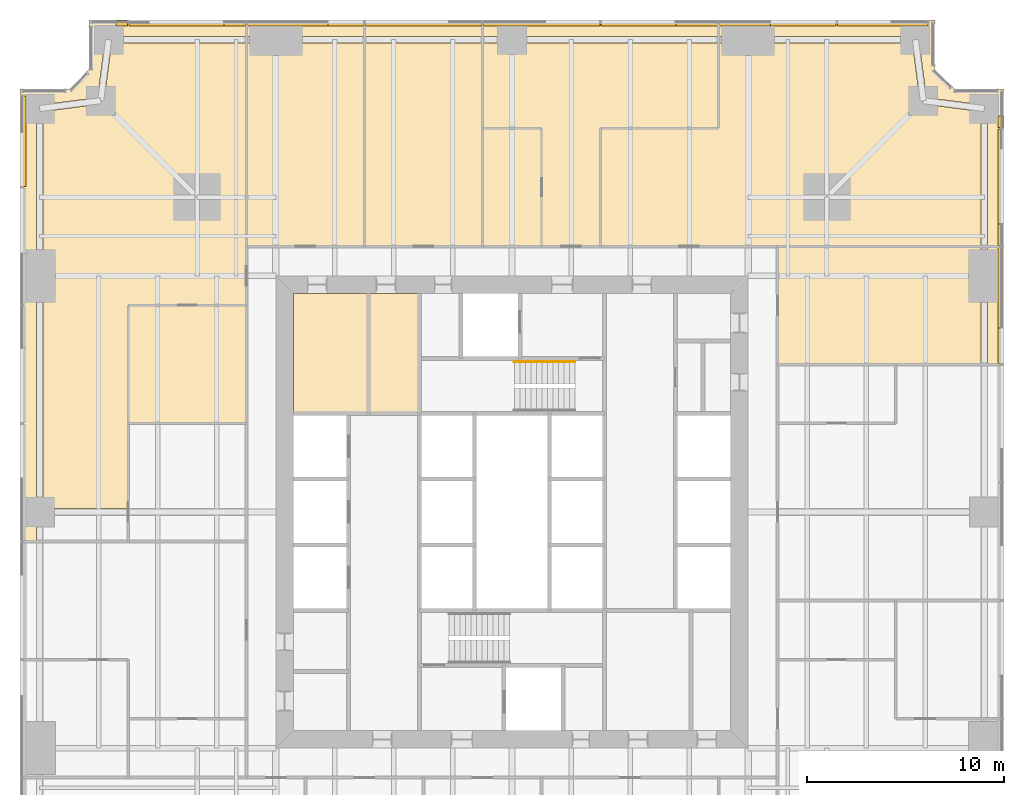
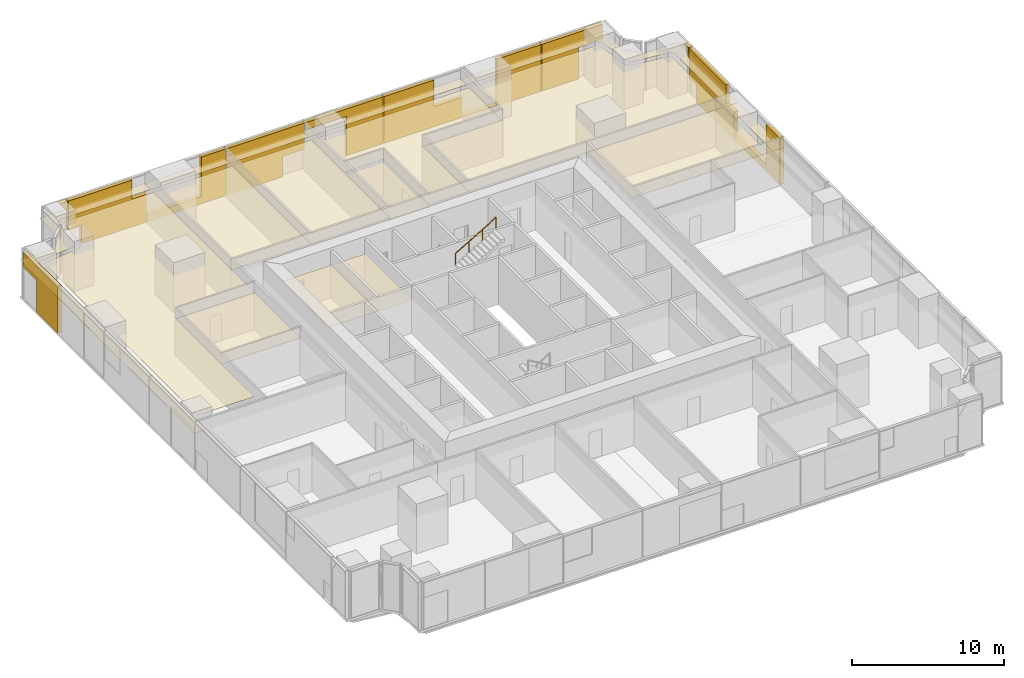
# One storey, part 14 of 14: 28 coverings, 1 railing.
"""IFC4 building model written with IfcOpenShell, lengths in metres."""

from ifc_helpers import new_model, si_unit, direction, frame, origin, origin_2d, place, context, subcontext, project, spatial, polyline, circle, outline, extrude, material, layer, layer_set, type_object, element, save


model = new_model("IFC4")

# Units and contexts
model_context = context("Model", 3, precision=1e-05, world=origin(), true_north=direction((0.0, 1.0)))
body_context = subcontext(model_context, "Body", "Model", "MODEL_VIEW")
ifc_project = project(units=[si_unit("LENGTHUNIT", "METRE"), si_unit("AREAUNIT", "SQUARE_METRE"), si_unit("VOLUMEUNIT", "CUBIC_METRE"), si_unit("PLANEANGLEUNIT", "RADIAN"), si_unit("MASSUNIT", "GRAM", prefix="KILO")], contexts=[model_context])

# Site, building, storey
site_placement = place(None, origin())
site = spatial("IfcSite", under=ifc_project, at=site_placement, CompositionType="ELEMENT")
building_placement = place(site_placement, origin())
building = spatial("IfcBuilding", under=site, at=building_placement, Name="Fenwick Lantern Interchange", CompositionType="ELEMENT")
storey_placement = place(building_placement, frame((0.0, 0.0, 59.0)))
storey = spatial("IfcBuildingStorey", under=building, at=storey_placement, Name="L13", CompositionType="ELEMENT", Elevation=59.0)

# Coverings
ifc_material_1 = material(Name="Mineral fibre acoustic tile on suspended grid")
ifc_layer_1 = layer(ifc_material_1, 0.02001953125)
ifc_layer_set_1 = layer_set([ifc_layer_1], Name="ACOUSTIC TILE CEILING 20")
covering_type_1 = type_object("IfcCoveringType", Name="ACOUSTIC TILE CEILING 20", PredefinedType="CEILING", material=ifc_layer_set_1)
covering_1_placement = place(storey_placement, frame((0.0, 0.0, 2.89990234375)))
element("IfcCovering", 1, at=covering_1_placement, inside=storey, type_object=covering_type_1, Name="Office suite ceiling", PredefinedType="CEILING", context=body_context, shape_type="SweptSolid", body=[
    extrude(outline(polyline([(38.5, 32.5), (48.82763671875, 32.5), (48.82763671875, 37.0), (48.82763671875, 38.5), (38.5, 38.5), (38.5, 32.5)])), origin(), (0.0, 0.0, 1.0), 0.02001953125),
])
covering_2_placement = place(storey_placement, frame((0.0, 0.0, 2.89990234375)))
element("IfcCovering", 2, at=covering_2_placement, inside=storey, type_object=covering_type_1, Name="Office suite ceiling", PredefinedType="CEILING", context=body_context, shape_type="SweptSolid", body=[
    extrude(outline(polyline([(50.0, 32.5), (50.0, 38.5), (49.17236328125, 38.5), (49.17236328125, 37.0), (49.17236328125, 32.5), (50.0, 32.5)])), origin(), (0.0, 0.0, 1.0), 0.02001953125),
])
covering_3_placement = place(storey_placement, frame((0.0, 0.0, 2.89990234375)))
element("IfcCovering", 3, at=covering_3_placement, inside=storey, type_object=covering_type_1, Name="Office suite ceiling", PredefinedType="CEILING", context=body_context, shape_type="SweptSolid", body=[
    extrude(outline(polyline([(29.5, 38.5), (48.82763671875, 38.5), (48.82763671875, 45.348388671875), (45.8779296875, 45.72900390625), (45.89990234375, 45.89990234375), (45.72900390625, 45.8779296875), (45.348388671875, 48.82763671875), (37.0, 48.82763671875), (35.5, 48.82763671875), (35.5, 44.5), (29.5, 44.5), (29.5, 38.5)])), origin(), (0.0, 0.0, 1.0), 0.02001953125),
])
covering_4_placement = place(storey_placement, frame((0.0, 0.0, 2.89990234375)))
element("IfcCovering", 4, at=covering_4_placement, inside=storey, type_object=covering_type_1, Name="Office suite ceiling", PredefinedType="CEILING", context=body_context, shape_type="SweptSolid", body=[
    extrude(outline(polyline([(47.5, 46.5), (46.5, 47.5), (46.5, 50.0), (35.5, 50.0), (35.5, 49.17236328125), (37.0, 49.17236328125), (45.5, 49.17236328125), (45.5, 49.0), (45.6708984375, 49.02197265625), (46.053955078125, 46.053955078125), (49.02197265625, 45.6708984375), (49.0, 45.5), (49.17236328125, 45.5), (49.17236328125, 38.5), (50.0, 38.5), (50.0, 46.5), (47.5, 46.5)])), origin(), (0.0, 0.0, 1.0), 0.02001953125),
])
covering_5_placement = place(storey_placement, frame((0.0, 0.0, 2.89990234375)))
element("IfcCovering", 5, at=covering_5_placement, inside=storey, type_object=covering_type_1, Name="Office suite ceiling", PredefinedType="CEILING", context=body_context, shape_type="SweptSolid", body=[
    extrude(outline(polyline([(35.5, 44.5), (35.5, 48.82763671875), (25.0, 48.82763671875), (23.5, 48.82763671875), (23.5, 44.5), (26.5, 44.5), (26.5, 38.5), (29.5, 38.5), (29.5, 44.5), (35.5, 44.5)])), origin(), (0.0, 0.0, 1.0), 0.02001953125),
])
covering_6_placement = place(storey_placement, frame((0.0, 0.0, 2.89990234375)))
element("IfcCovering", 6, at=covering_6_placement, inside=storey, type_object=covering_type_1, Name="Office suite ceiling", PredefinedType="CEILING", context=body_context, shape_type="SweptSolid", body=[
    extrude(outline(polyline([(35.5, 49.17236328125), (35.5, 50.0), (23.5, 50.0), (23.5, 49.17236328125), (25.0, 49.17236328125), (35.5, 49.17236328125)])), origin(), (0.0, 0.0, 1.0), 0.02001953125),
])
covering_7_placement = place(storey_placement, frame((0.0, 0.0, 2.699951171875)))
element("IfcCovering", 7, at=covering_7_placement, inside=storey, type_object=covering_type_1, Name="Quiet room ceiling", PredefinedType="CEILING", context=body_context, shape_type="SweptSolid", body=[
    extrude(outline(polyline([(26.5, 44.5), (23.5, 44.5), (23.5, 38.5), (26.5, 38.5), (26.5, 44.5)])), origin(), (0.0, 0.0, 1.0), 0.02001953125),
])
covering_8_placement = place(storey_placement, frame((0.0, 0.0, 2.89990234375)))
element("IfcCovering", 8, at=covering_8_placement, inside=storey, type_object=covering_type_1, Name="Office suite ceiling", PredefinedType="CEILING", context=body_context, shape_type="SweptSolid", body=[
    extrude(outline(polyline([(23.5, 38.5), (23.5, 48.82763671875), (17.5, 48.82763671875), (17.5, 38.5), (23.5, 38.5)])), origin(), (0.0, 0.0, 1.0), 0.02001953125),
])
covering_9_placement = place(storey_placement, frame((0.0, 0.0, 2.89990234375)))
element("IfcCovering", 9, at=covering_9_placement, inside=storey, type_object=covering_type_1, Name="Office suite ceiling", PredefinedType="CEILING", context=body_context, shape_type="SweptSolid", body=[
    extrude(outline(polyline([(23.5, 50.0), (17.5, 50.0), (17.5, 49.17236328125), (23.5, 49.17236328125), (23.5, 50.0)])), origin(), (0.0, 0.0, 1.0), 0.02001953125),
])
covering_10_placement = place(storey_placement, frame((0.0, 0.0, 2.89990234375)))
element("IfcCovering", 10, at=covering_10_placement, inside=storey, type_object=covering_type_1, Name="Office suite ceiling", PredefinedType="CEILING", context=body_context, shape_type="SweptSolid", body=[
    extrude(outline(polyline([(17.5, 38.5), (17.5, 48.82763671875), (13.0, 48.82763671875), (11.5, 48.82763671875), (11.5, 38.5), (17.5, 38.5)])), origin(), (0.0, 0.0, 1.0), 0.02001953125),
])
covering_11_placement = place(storey_placement, frame((0.0, 0.0, 2.89990234375)))
element("IfcCovering", 11, at=covering_11_placement, inside=storey, type_object=covering_type_1, Name="Office suite ceiling", PredefinedType="CEILING", context=body_context, shape_type="SweptSolid", body=[
    extrude(outline(polyline([(17.5, 50.0), (11.5, 50.0), (11.5, 49.17236328125), (13.0, 49.17236328125), (17.5, 49.17236328125), (17.5, 50.0)])), origin(), (0.0, 0.0, 1.0), 0.02001953125),
])
covering_12_placement = place(storey_placement, frame((0.0, 0.0, 2.89990234375)))
element("IfcCovering", 12, at=covering_12_placement, inside=storey, type_object=covering_type_1, Name="Office suite ceiling", PredefinedType="CEILING", context=body_context, shape_type="SweptSolid", body=[
    extrude(outline(polyline([(11.5, 35.5), (11.5, 48.82763671875), (4.651611328125, 48.82763671875), (4.27099609375, 45.8779296875), (4.10009765625, 45.89990234375), (4.1220703125, 45.72900390625), (1.17236328125, 45.348388671875), (1.17236328125, 37.0), (1.17236328125, 25.175048828125), (5.5, 25.175048828125), (5.5, 35.5), (11.5, 35.5)])), origin(), (0.0, 0.0, 1.0), 0.02001953125),
])
covering_13_placement = place(storey_placement, frame((0.0, 0.0, 2.89990234375)))
element("IfcCovering", 13, at=covering_13_placement, inside=storey, type_object=covering_type_1, Name="Office suite ceiling", PredefinedType="CEILING", context=body_context, shape_type="SweptSolid", body=[
    extrude(outline(polyline([(0.0, 46.5), (0.0, 23.5), (0.82763671875, 23.5), (0.82763671875, 25.0), (0.82763671875, 37.0), (0.82763671875, 45.5), (1.0, 45.5), (0.97802734375, 45.6708984375), (3.946044921875, 46.053955078125), (4.3291015625, 49.02197265625), (4.5, 49.0), (4.5, 49.17236328125), (11.5, 49.17236328125), (11.5, 50.0), (3.5, 50.0), (3.5, 47.5), (2.5, 46.5), (0.0, 46.5)])), origin(), (0.0, 0.0, 1.0), 0.02001953125),
])
ifc_material_2 = material(Name="Granite cladding, warm grey flamed finish, on aluminium carrier frame", Category="masonry")
ifc_layer_2 = layer(ifc_material_2, 0.300048828125)
ifc_layer_set_2 = layer_set([ifc_layer_2], Name="BRACE CASING PANEL 300")
covering_type_2 = type_object("IfcCoveringType", Name="BRACE CASING PANEL 300", PredefinedType="CLADDING", material=ifc_layer_set_2)
covering_14_placement = place(storey_placement, frame((49.89990234375, 3.60009765625, 0.0), z_axis=(0.0, 0.0, 1.0), x_axis=(0.0, 1.0, 0.0)))
element("IfcCovering", 14, at=covering_14_placement, inside=storey, type_object=covering_type_2, Name="Brace casing 05 bay 05a", PredefinedType="CLADDING", context=body_context, shape_type="SweptSolid", body=[
    extrude(outline(polyline([(28.9326171875, 0.0), (34.867431640625, 0.0), (34.867431640625, 0.58203125), (30.757568359375, 0.58203125), (30.757568359375, 3.75), (28.9326171875, 3.75), (28.9326171875, 0.0)])), frame((0.0, 0.2001953125, 0.0), z_axis=(0.0, -1.0, 0.0), x_axis=(1.0, 0.0, 0.0)), (0.0, 0.0, 1.0), 0.300048828125),
])
covering_15_placement = place(storey_placement, frame((49.89990234375, 3.60009765625, 0.0), z_axis=(0.0, 0.0, 1.0), x_axis=(0.0, 1.0, 0.0)))
element("IfcCovering", 15, at=covering_15_placement, inside=storey, type_object=covering_type_2, Name="Brace casing 05 bay 06a", PredefinedType="CLADDING", context=body_context, shape_type="SweptSolid", body=[
    extrude(outline(polyline([(34.9326171875, 0.0), (39.868408203125, 0.0), (39.868408203125, 1.411865234375), (40.867431640625, 1.411865234375), (40.867431640625, 3.75), (36.0224609375, 3.75), (36.0224609375, 2.21044921875), (34.9326171875, 2.21044921875), (34.9326171875, 0.0)])), frame((0.0, 0.2001953125, 0.0), z_axis=(0.0, -1.0, 0.0), x_axis=(1.0, 0.0, 0.0)), (0.0, 0.0, 1.0), 0.300048828125),
])
covering_16_placement = place(storey_placement, frame((49.89990234375, 3.60009765625, 2.9140625), z_axis=(0.0, 0.0, 1.0), x_axis=(0.0, 1.0, 0.0)))
element("IfcCovering", 16, at=covering_16_placement, inside=storey, type_object=covering_type_2, Name="Brace casing 05 bay 07a", PredefinedType="CLADDING", context=body_context, shape_type="SweptSolid", body=[
    extrude(outline(polyline([(40.9326171875, 0.0), (41.524658203125, 0.8359375), (40.9326171875, 0.8359375), (40.9326171875, 0.0)])), frame((0.0, 0.2001953125, 0.0), z_axis=(0.0, -1.0, 0.0), x_axis=(1.0, 0.0, 0.0)), (0.0, 0.0, 1.0), 0.300048828125),
])
covering_17_placement = place(storey_placement, frame((46.39990234375, 49.89990234375, 0.0), z_axis=(0.0, 0.0, 1.0), x_axis=(-1.0, 0.0, 0.0)))
element("IfcCovering", 17, at=covering_17_placement, inside=storey, type_object=covering_type_2, Name="Brace casing 09 bay 00a", PredefinedType="CLADDING", context=body_context, shape_type="SweptSolid", body=[
    extrude(outline(polyline([(2.10009765625, 0.0), (4.867431640625, 0.0), (4.867431640625, 3.75), (0.264892578125, 3.75), (0.264892578125, 2.585693359375), (2.10009765625, 2.585693359375), (2.10009765625, 0.0)])), frame((0.0, 0.2001953125, 0.0), z_axis=(0.0, -1.0, 0.0), x_axis=(1.0, 0.0, 0.0)), (0.0, 0.0, 1.0), 0.300048828125),
])
covering_18_placement = place(storey_placement, frame((46.39990234375, 49.89990234375, 0.0), z_axis=(0.0, 0.0, 1.0), x_axis=(-1.0, 0.0, 0.0)))
element("IfcCovering", 18, at=covering_18_placement, inside=storey, type_object=covering_type_2, Name="Brace casing 09 bay 01a", PredefinedType="CLADDING", context=body_context, shape_type="SweptSolid", body=[
    extrude(outline(polyline([(4.9326171875, 0.0), (10.867431640625, 0.0), (10.867431640625, 0.093505859375), (8.27685546875, 0.093505859375), (8.27685546875, 3.75), (4.9326171875, 3.75), (4.9326171875, 0.0)])), frame((0.0, 0.2001953125, 0.0), z_axis=(0.0, -1.0, 0.0), x_axis=(1.0, 0.0, 0.0)), (0.0, 0.0, 1.0), 0.300048828125),
])
covering_19_placement = place(storey_placement, frame((46.39990234375, 49.89990234375, 0.0), z_axis=(0.0, 0.0, 1.0), x_axis=(-1.0, 0.0, 0.0)))
element("IfcCovering", 19, at=covering_19_placement, inside=storey, type_object=covering_type_2, Name="Brace casing 09 bay 02a", PredefinedType="CLADDING", context=body_context, shape_type="SweptSolid", body=[
    extrude(outline(polyline([(10.9326171875, 0.0), (16.867431640625, 0.0), (16.867431640625, 3.75), (13.072509765625, 3.75), (13.072509765625, 1.612060546875), (10.9326171875, 1.612060546875), (10.9326171875, 0.0)])), frame((0.0, 0.2001953125, 0.0), z_axis=(0.0, -1.0, 0.0), x_axis=(1.0, 0.0, 0.0)), (0.0, 0.0, 1.0), 0.300048828125),
])
covering_20_placement = place(storey_placement, frame((46.39990234375, 49.89990234375, 0.0), z_axis=(0.0, 0.0, 1.0), x_axis=(-1.0, 0.0, 0.0)))
element("IfcCovering", 20, at=covering_20_placement, inside=storey, type_object=covering_type_2, Name="Brace casing 09 bay 03a", PredefinedType="CLADDING", context=body_context, shape_type="SweptSolid", body=[
    extrude(outline(polyline([(16.9326171875, 0.0), (19.70751953125, 0.0), (19.70751953125, 3.156005859375), (22.867431640625, 3.156005859375), (22.867431640625, 3.75), (16.9326171875, 3.75), (16.9326171875, 0.0)])), frame((0.0, 0.2001953125, 0.0), z_axis=(0.0, -1.0, 0.0), x_axis=(1.0, 0.0, 0.0)), (0.0, 0.0, 1.0), 0.300048828125),
])
covering_21_placement = place(storey_placement, frame((46.39990234375, 49.89990234375, 0.0), z_axis=(0.0, 0.0, 1.0), x_axis=(-1.0, 0.0, 0.0)))
element("IfcCovering", 21, at=covering_21_placement, inside=storey, type_object=covering_type_2, Name="Brace casing 09 bay 04a", PredefinedType="CLADDING", context=body_context, shape_type="SweptSolid", body=[
    extrude(outline(polyline([(24.592529296875, 0.0), (28.867431640625, 0.0), (28.867431640625, 3.75), (22.9326171875, 3.75), (22.9326171875, 1.656005859375), (24.592529296875, 1.656005859375), (24.592529296875, 0.0)])), frame((0.0, 0.2001953125, 0.0), z_axis=(0.0, -1.0, 0.0), x_axis=(1.0, 0.0, 0.0)), (0.0, 0.0, 1.0), 0.300048828125),
])
covering_22_placement = place(storey_placement, frame((46.39990234375, 49.89990234375, 0.0), z_axis=(0.0, 0.0, 1.0), x_axis=(-1.0, 0.0, 0.0)))
element("IfcCovering", 22, at=covering_22_placement, inside=storey, type_object=covering_type_2, Name="Brace casing 09 bay 05a", PredefinedType="CLADDING", context=body_context, shape_type="SweptSolid", body=[
    extrude(outline(polyline([(28.9326171875, 0.0), (34.867431640625, 0.0), (34.867431640625, 0.58203125), (30.757568359375, 0.58203125), (30.757568359375, 3.75), (28.9326171875, 3.75), (28.9326171875, 0.0)])), frame((0.0, 0.2001953125, 0.0), z_axis=(0.0, -1.0, 0.0), x_axis=(1.0, 0.0, 0.0)), (0.0, 0.0, 1.0), 0.300048828125),
])
covering_23_placement = place(storey_placement, frame((46.39990234375, 49.89990234375, 0.0), z_axis=(0.0, 0.0, 1.0), x_axis=(-1.0, 0.0, 0.0)))
element("IfcCovering", 23, at=covering_23_placement, inside=storey, type_object=covering_type_2, Name="Brace casing 09 bay 06a", PredefinedType="CLADDING", context=body_context, shape_type="SweptSolid", body=[
    extrude(outline(polyline([(34.9326171875, 0.0), (39.868408203125, 0.0), (39.868408203125, 1.411865234375), (40.867431640625, 1.411865234375), (40.867431640625, 3.75), (36.0224609375, 3.75), (36.0224609375, 2.21044921875), (34.9326171875, 2.21044921875), (34.9326171875, 0.0)])), frame((0.0, 0.2001953125, 0.0), z_axis=(0.0, -1.0, 0.0), x_axis=(1.0, 0.0, 0.0)), (0.0, 0.0, 1.0), 0.300048828125),
])
covering_24_placement = place(storey_placement, frame((46.39990234375, 49.89990234375, 2.9140625), z_axis=(0.0, 0.0, 1.0), x_axis=(-1.0, 0.0, 0.0)))
element("IfcCovering", 24, at=covering_24_placement, inside=storey, type_object=covering_type_2, Name="Brace casing 09 bay 07a", PredefinedType="CLADDING", context=body_context, shape_type="SweptSolid", body=[
    extrude(outline(polyline([(40.9326171875, 0.0), (41.524658203125, 0.8359375), (40.9326171875, 0.8359375), (40.9326171875, 0.0)])), frame((0.0, 0.2001953125, 0.0), z_axis=(0.0, -1.0, 0.0), x_axis=(1.0, 0.0, 0.0)), (0.0, 0.0, 1.0), 0.300048828125),
])
covering_25_placement = place(storey_placement, frame((0.10009765625, 46.39990234375, 0.0), z_axis=(0.0, 0.0, 1.0), x_axis=(0.0, -1.0, 0.0)))
element("IfcCovering", 25, at=covering_25_placement, inside=storey, type_object=covering_type_2, Name="Brace casing 13 bay 00a", PredefinedType="CLADDING", context=body_context, shape_type="SweptSolid", body=[
    extrude(outline(polyline([(2.10009765625, 0.0), (4.867431640625, 0.0), (4.867431640625, 3.75), (0.264892578125, 3.75), (0.264892578125, 2.585693359375), (2.10009765625, 2.585693359375), (2.10009765625, 0.0)])), frame((0.0, 0.2001953125, 0.0), z_axis=(0.0, -1.0, 0.0), x_axis=(1.0, 0.0, 0.0)), (0.0, 0.0, 1.0), 0.300048828125),
])

# Railing
ifc_material_3 = material(Name="Stainless steel handrail", Category="steel")
railing_type = type_object("IfcRailingType", Name="HANDRAIL 900", PredefinedType="HANDRAIL", material=ifc_material_3)
railing_placement = place(storey_placement, frame((25.1201171875, 32.6259765625, 2.166748046875)))
element("IfcRailing", 26, at=railing_placement, inside=storey, type_object=railing_type, Name="L13/STAIR/ST2/HR2", PredefinedType="HANDRAIL", context=body_context, shape_type="SweptSolid", body=[
    extrude(circle(Radius=0.02392578125, at=origin_2d()), frame((0.0, 0.0, 0.8759765625), z_axis=(0.859290745958, 0.0, 0.51148745235), x_axis=(0.0, 1.0, 0.0)), (0.0, 0.0, 1.0), 3.584228515625),
    extrude(circle(Radius=0.02099609375, at=origin_2d()), origin(), (0.0, 0.0, 1.0), 0.851806640625),
    extrude(circle(Radius=0.02099609375, at=origin_2d()), frame((1.026611328125, 0.0, 0.611083984375)), (0.0, 0.0, 1.0), 0.851806640625),
    extrude(circle(Radius=0.02099609375, at=origin_2d()), frame((2.05322265625, 0.0, 1.22216796875)), (0.0, 0.0, 1.0), 0.851806640625),
    extrude(circle(Radius=0.02099609375, at=origin_2d()), frame((3.079833984375, 0.0, 1.833251953125)), (0.0, 0.0, 1.0), 0.851806640625),
])

# Coverings
ifc_material_4 = material(Name="Moisture resistant gypsum board on suspended frame, painted")
ifc_layer_3 = layer(ifc_material_4, 0.014892578125)
ifc_layer_set_3 = layer_set([ifc_layer_3], Name="MOISTURE RESISTANT CEILING 15")
covering_type_3 = type_object("IfcCoveringType", Name="MOISTURE RESISTANT CEILING 15", PredefinedType="CEILING", material=ifc_layer_set_3)
covering_26_placement = place(storey_placement, frame((0.0, 0.0, 2.60009765625)))
element("IfcCovering", 27, at=covering_26_placement, inside=storey, type_object=covering_type_3, Name="Men's WC ceiling", PredefinedType="CEILING", context=body_context, shape_type="SweptSolid", body=[
    extrude(outline(polyline([(20.300048828125, 36.10009765625), (17.699951171875, 36.10009765625), (17.699951171875, 30.0), (20.300048828125, 30.0), (20.300048828125, 36.10009765625)])), origin(), (0.0, 0.0, 1.0), 0.014892578125),
])
covering_27_placement = place(storey_placement, frame((0.0, 0.0, 2.60009765625)))
element("IfcCovering", 28, at=covering_27_placement, inside=storey, type_object=covering_type_3, Name="Women's WC ceiling", PredefinedType="CEILING", context=body_context, shape_type="SweptSolid", body=[
    extrude(outline(polyline([(17.699951171875, 36.10009765625), (13.89990234375, 36.10009765625), (13.89990234375, 30.0), (17.699951171875, 30.0), (17.699951171875, 36.10009765625)])), origin(), (0.0, 0.0, 1.0), 0.014892578125),
])
ifc_material_5 = material(Name="Gypsum plasterboard on suspended frame, painted")
ifc_layer_4 = layer(ifc_material_5, 0.014892578125)
ifc_layer_set_4 = layer_set([ifc_layer_4], Name="PLASTERBOARD CEILING 15")
covering_type_4 = type_object("IfcCoveringType", Name="PLASTERBOARD CEILING 15", PredefinedType="CEILING", material=ifc_layer_set_4)
covering_28_placement = place(storey_placement, frame((0.0, 0.0, 2.89990234375)))
element("IfcCovering", 29, at=covering_28_placement, inside=storey, type_object=covering_type_4, Name="Reception ceiling", PredefinedType="CEILING", context=body_context, shape_type="SweptSolid", body=[
    extrude(outline(polyline([(5.5, 35.5), (5.5, 29.5), (11.5, 29.5), (11.5, 35.5), (5.5, 35.5)])), origin(), (0.0, 0.0, 1.0), 0.01513671875),
])

save(model, "model.ifc")
